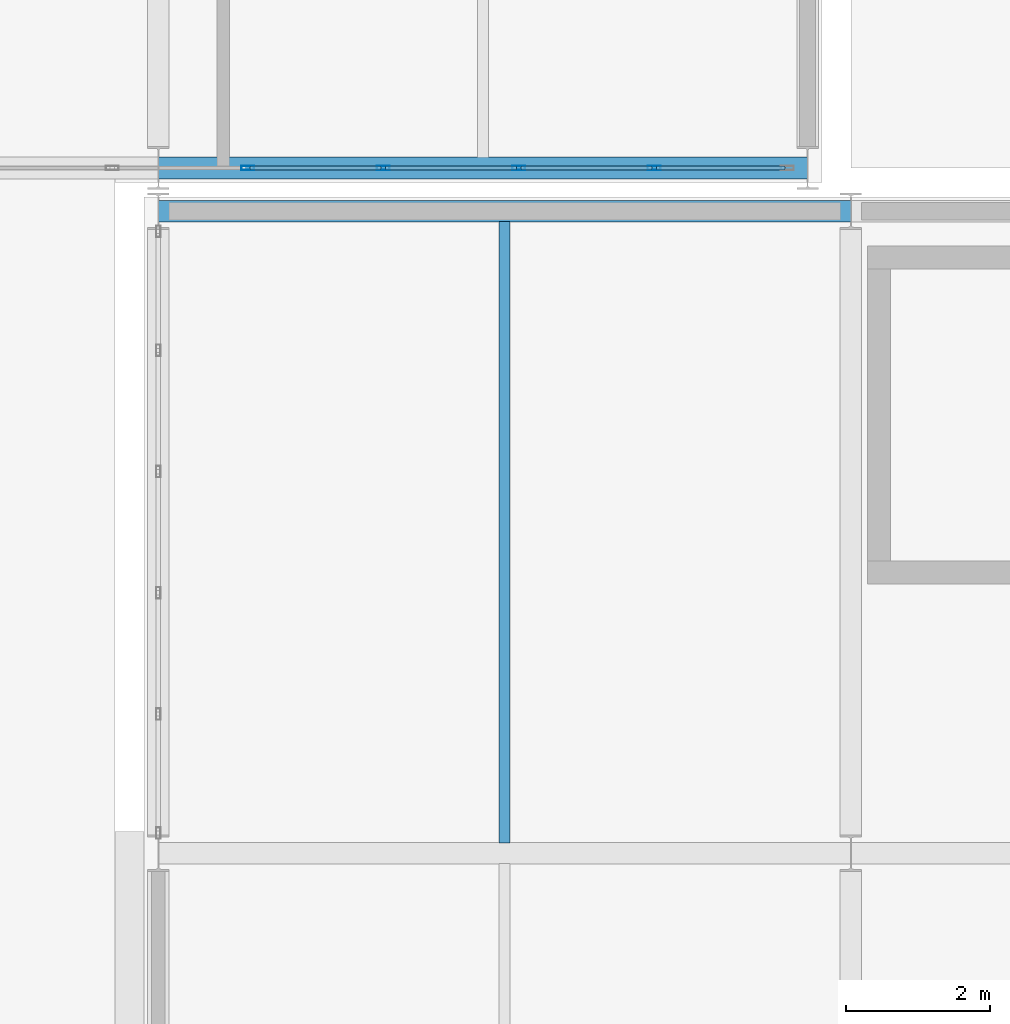
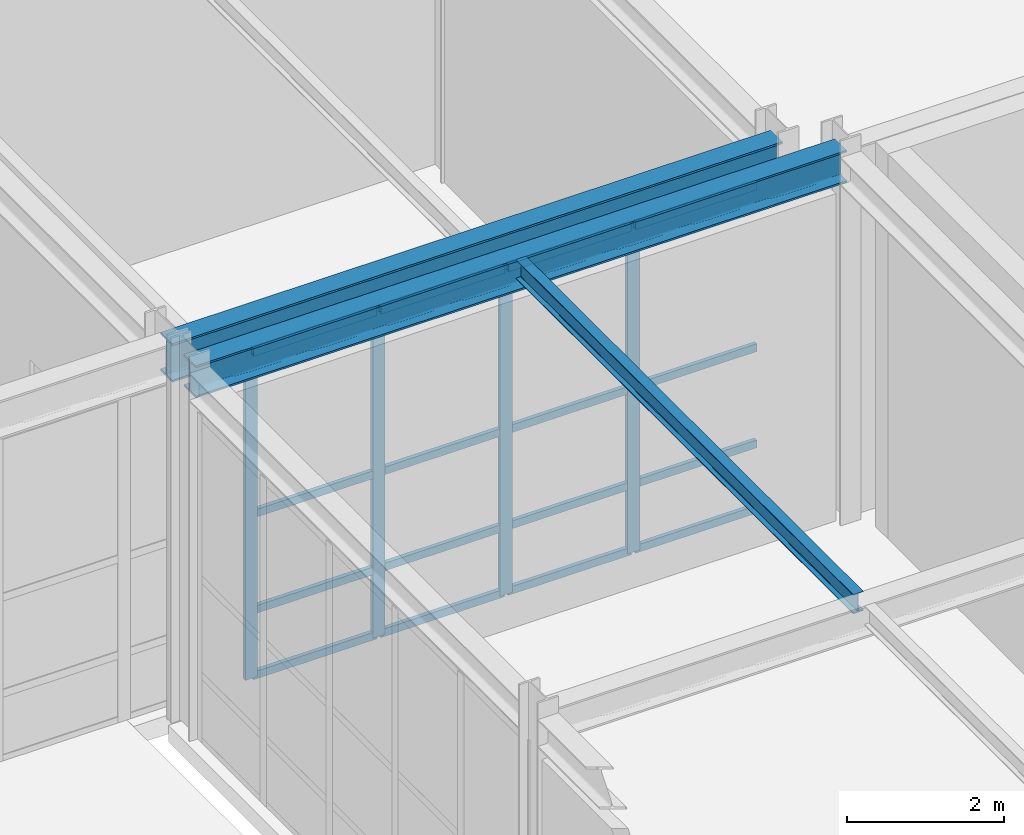
# One storey, part 76 of 146: 20 members, 3 beams, 1 element without a shape of its own.
"""IFC4 building model written with IfcOpenShell, lengths in metres."""

from ifc_helpers import new_model, si_unit, direction, frame, origin, origin_2d, place, context, subcontext, project, spatial, hollow_rectangle, i_section, extrude, material, material_profile, profile_set, type_object, element, aggregate, save


model = new_model("IFC4")

# Units and contexts
model_context = context("Model", 3, precision=1e-05, world=origin(), true_north=direction((0.0, 1.0)))
body_context = subcontext(model_context, "Body", "Model", "MODEL_VIEW")
ifc_project = project(units=[si_unit("LENGTHUNIT", "METRE"), si_unit("AREAUNIT", "SQUARE_METRE"), si_unit("VOLUMEUNIT", "CUBIC_METRE"), si_unit("PLANEANGLEUNIT", "RADIAN"), si_unit("MASSUNIT", "GRAM", prefix="KILO")], contexts=[model_context])

# Site, building, storey
site_placement = place(None, origin())
site = spatial("IfcSite", under=ifc_project, at=site_placement, CompositionType="ELEMENT")
building_placement = place(site_placement, origin())
building = spatial("IfcBuilding", under=site, at=building_placement, Name="Kaldris Quays Convention Centre", CompositionType="ELEMENT")
storey_placement = place(building_placement, origin())
storey = spatial("IfcBuildingStorey", under=building, at=storey_placement, Name="L00", CompositionType="ELEMENT", Elevation=0.0)

# Curtain wall, members
ifc_material_1 = material(Name="Anodized aluminium AW-6060 and triple glazing", Category="aluminium")
curtain_wall_type = type_object("IfcCurtainWallType", Name="UNITISED CURTAIN WALL CW05", PredefinedType="NOTDEFINED", material=ifc_material_1)
curtain_wall_placement = place(storey_placement, origin())
curtain_wall = element("IfcCurtainWall", 1, at=curtain_wall_placement, inside=storey, type_object=curtain_wall_type, Name="L00 Unitised Curtain Wall CW05 137", PredefinedType="NOTDEFINED")
ifc_material_2 = material(Name="Anodized aluminium AW-6060", Category="aluminium")
ifc_material_profile_1 = material_profile(ifc_material_2, hollow_rectangle(XDim=0.06005859375, YDim=0.179931640625, WallThickness=0.0048828125, at=origin_2d()), Name="RHS 180x60x5")
ifc_profile_set_1 = profile_set([ifc_material_profile_1], Name="Anodized aluminium AW-6060")
member_type_1 = type_object("IfcMemberType", Name="CURTAIN MULLION CWM2", PredefinedType="MULLION", material=ifc_profile_set_1)
member_1_placement = place(storey_placement, frame((156.23876953125, 38.0, 0.0), z_axis=(0.0, 0.0, 1.0), x_axis=(0.0, 1.0, 0.0)))
member_1 = element("IfcMember", 2, at=member_1_placement, type_object=member_type_1, Name="CW05 mullion 6", PredefinedType="MULLION", context=body_context, shape_type="SweptSolid", body=[
    extrude(hollow_rectangle(XDim=0.06005859375, YDim=0.179931640625, WallThickness=0.0048828125, at=origin_2d()), origin(), (0.0, 0.0, 1.0), 5.097900390625),
])
member_2_placement = place(storey_placement, frame((158.11669921875, 38.0, 0.0), z_axis=(0.0, 0.0, 1.0), x_axis=(0.0, 1.0, 0.0)))
member_2 = element("IfcMember", 3, at=member_2_placement, type_object=member_type_1, Name="CW05 mullion 7", PredefinedType="MULLION", context=body_context, shape_type="SweptSolid", body=[
    extrude(hollow_rectangle(XDim=0.06005859375, YDim=0.179931640625, WallThickness=0.0048828125, at=origin_2d()), origin(), (0.0, 0.0, 1.0), 5.097900390625),
])
member_3_placement = place(storey_placement, frame((159.994384765625, 38.0, 0.0), z_axis=(0.0, 0.0, 1.0), x_axis=(0.0, 1.0, 0.0)))
member_3 = element("IfcMember", 4, at=member_3_placement, type_object=member_type_1, Name="CW05 mullion 8", PredefinedType="MULLION", context=body_context, shape_type="SweptSolid", body=[
    extrude(hollow_rectangle(XDim=0.06005859375, YDim=0.179931640625, WallThickness=0.0048828125, at=origin_2d()), origin(), (0.0, 0.0, 1.0), 5.097900390625),
])
member_4_placement = place(storey_placement, frame((161.872314453125, 38.0, 0.0), z_axis=(0.0, 0.0, 1.0), x_axis=(0.0, 1.0, 0.0)))
member_4 = element("IfcMember", 5, at=member_4_placement, type_object=member_type_1, Name="CW05 mullion 9", PredefinedType="MULLION", context=body_context, shape_type="SweptSolid", body=[
    extrude(hollow_rectangle(XDim=0.06005859375, YDim=0.179931640625, WallThickness=0.0048828125, at=origin_2d()), origin(), (0.0, 0.0, 1.0), 5.097900390625),
])
ifc_material_profile_2 = material_profile(ifc_material_2, hollow_rectangle(XDim=0.06005859375, YDim=0.1201171875, WallThickness=0.00390625, at=origin_2d()), Name="RHS 120x60x4")
ifc_profile_set_2 = profile_set([ifc_material_profile_2], Name="Anodized aluminium AW-6060")
member_type_2 = type_object("IfcMemberType", Name="CURTAIN TRANSOM CWT1", PredefinedType="USERDEFINED", material=ifc_profile_set_2)
member_5_placement = place(storey_placement, frame((156.268798828125, 38.0, 0.030029296875), z_axis=(1.0, 0.0, 0.0), x_axis=(0.0, 1.0, 0.0)))
member_5 = element("IfcMember", 6, at=member_5_placement, type_object=member_type_2, Name="CW05 transom 6.1", ObjectType="TRANSOM", PredefinedType="USERDEFINED", context=body_context, shape_type="SweptSolid", body=[
    extrude(hollow_rectangle(XDim=0.06005859375, YDim=0.1201171875, WallThickness=0.00390625, at=origin_2d()), origin(), (0.0, 0.0, 1.0), 1.81787109375),
])
member_6_placement = place(storey_placement, frame((156.268798828125, 38.0, 1.050048828125), z_axis=(1.0, 0.0, 0.0), x_axis=(0.0, 1.0, 0.0)))
member_6 = element("IfcMember", 7, at=member_6_placement, type_object=member_type_2, Name="CW05 transom 6.2", ObjectType="TRANSOM", PredefinedType="USERDEFINED", context=body_context, shape_type="SweptSolid", body=[
    extrude(hollow_rectangle(XDim=0.06005859375, YDim=0.1201171875, WallThickness=0.00390625, at=origin_2d()), origin(), (0.0, 0.0, 1.0), 1.81787109375),
])
member_7_placement = place(storey_placement, frame((156.268798828125, 38.0, 2.549072265625), z_axis=(1.0, 0.0, 0.0), x_axis=(0.0, 1.0, 0.0)))
member_7 = element("IfcMember", 8, at=member_7_placement, type_object=member_type_2, Name="CW05 transom 6.3", ObjectType="TRANSOM", PredefinedType="USERDEFINED", context=body_context, shape_type="SweptSolid", body=[
    extrude(hollow_rectangle(XDim=0.06005859375, YDim=0.1201171875, WallThickness=0.00390625, at=origin_2d()), origin(), (0.0, 0.0, 1.0), 1.81787109375),
])
member_8_placement = place(storey_placement, frame((156.268798828125, 38.0, 5.068115234375), z_axis=(1.0, 0.0, 0.0), x_axis=(0.0, 1.0, 0.0)))
member_8 = element("IfcMember", 9, at=member_8_placement, type_object=member_type_2, Name="CW05 transom 6.4", ObjectType="TRANSOM", PredefinedType="USERDEFINED", context=body_context, shape_type="SweptSolid", body=[
    extrude(hollow_rectangle(XDim=0.06005859375, YDim=0.1201171875, WallThickness=0.00390625, at=origin_2d()), origin(), (0.0, 0.0, 1.0), 1.81787109375),
])
member_9_placement = place(storey_placement, frame((158.146728515625, 38.0, 0.030029296875), z_axis=(1.0, 0.0, 0.0), x_axis=(0.0, 1.0, 0.0)))
member_9 = element("IfcMember", 10, at=member_9_placement, type_object=member_type_2, Name="CW05 transom 7.1", ObjectType="TRANSOM", PredefinedType="USERDEFINED", context=body_context, shape_type="SweptSolid", body=[
    extrude(hollow_rectangle(XDim=0.06005859375, YDim=0.1201171875, WallThickness=0.00390625, at=origin_2d()), origin(), (0.0, 0.0, 1.0), 1.817626953125),
])
member_10_placement = place(storey_placement, frame((158.146728515625, 38.0, 1.050048828125), z_axis=(1.0, 0.0, 0.0), x_axis=(0.0, 1.0, 0.0)))
member_10 = element("IfcMember", 11, at=member_10_placement, type_object=member_type_2, Name="CW05 transom 7.2", ObjectType="TRANSOM", PredefinedType="USERDEFINED", context=body_context, shape_type="SweptSolid", body=[
    extrude(hollow_rectangle(XDim=0.06005859375, YDim=0.1201171875, WallThickness=0.00390625, at=origin_2d()), origin(), (0.0, 0.0, 1.0), 1.817626953125),
])
member_11_placement = place(storey_placement, frame((158.146728515625, 38.0, 2.549072265625), z_axis=(1.0, 0.0, 0.0), x_axis=(0.0, 1.0, 0.0)))
member_11 = element("IfcMember", 12, at=member_11_placement, type_object=member_type_2, Name="CW05 transom 7.3", ObjectType="TRANSOM", PredefinedType="USERDEFINED", context=body_context, shape_type="SweptSolid", body=[
    extrude(hollow_rectangle(XDim=0.06005859375, YDim=0.1201171875, WallThickness=0.00390625, at=origin_2d()), origin(), (0.0, 0.0, 1.0), 1.817626953125),
])
member_12_placement = place(storey_placement, frame((158.146728515625, 38.0, 5.068115234375), z_axis=(1.0, 0.0, 0.0), x_axis=(0.0, 1.0, 0.0)))
member_12 = element("IfcMember", 13, at=member_12_placement, type_object=member_type_2, Name="CW05 transom 7.4", ObjectType="TRANSOM", PredefinedType="USERDEFINED", context=body_context, shape_type="SweptSolid", body=[
    extrude(hollow_rectangle(XDim=0.06005859375, YDim=0.1201171875, WallThickness=0.00390625, at=origin_2d()), origin(), (0.0, 0.0, 1.0), 1.817626953125),
])
member_13_placement = place(storey_placement, frame((160.0244140625, 38.0, 0.030029296875), z_axis=(1.0, 0.0, 0.0), x_axis=(0.0, 1.0, 0.0)))
member_13 = element("IfcMember", 14, at=member_13_placement, type_object=member_type_2, Name="CW05 transom 8.1", ObjectType="TRANSOM", PredefinedType="USERDEFINED", context=body_context, shape_type="SweptSolid", body=[
    extrude(hollow_rectangle(XDim=0.06005859375, YDim=0.1201171875, WallThickness=0.00390625, at=origin_2d()), origin(), (0.0, 0.0, 1.0), 1.81787109375),
])
member_14_placement = place(storey_placement, frame((160.0244140625, 38.0, 1.050048828125), z_axis=(1.0, 0.0, 0.0), x_axis=(0.0, 1.0, 0.0)))
member_14 = element("IfcMember", 15, at=member_14_placement, type_object=member_type_2, Name="CW05 transom 8.2", ObjectType="TRANSOM", PredefinedType="USERDEFINED", context=body_context, shape_type="SweptSolid", body=[
    extrude(hollow_rectangle(XDim=0.06005859375, YDim=0.1201171875, WallThickness=0.00390625, at=origin_2d()), origin(), (0.0, 0.0, 1.0), 1.81787109375),
])
member_15_placement = place(storey_placement, frame((160.0244140625, 38.0, 2.549072265625), z_axis=(1.0, 0.0, 0.0), x_axis=(0.0, 1.0, 0.0)))
member_15 = element("IfcMember", 16, at=member_15_placement, type_object=member_type_2, Name="CW05 transom 8.3", ObjectType="TRANSOM", PredefinedType="USERDEFINED", context=body_context, shape_type="SweptSolid", body=[
    extrude(hollow_rectangle(XDim=0.06005859375, YDim=0.1201171875, WallThickness=0.00390625, at=origin_2d()), origin(), (0.0, 0.0, 1.0), 1.81787109375),
])
member_16_placement = place(storey_placement, frame((160.0244140625, 38.0, 5.068115234375), z_axis=(1.0, 0.0, 0.0), x_axis=(0.0, 1.0, 0.0)))
member_16 = element("IfcMember", 17, at=member_16_placement, type_object=member_type_2, Name="CW05 transom 8.4", ObjectType="TRANSOM", PredefinedType="USERDEFINED", context=body_context, shape_type="SweptSolid", body=[
    extrude(hollow_rectangle(XDim=0.06005859375, YDim=0.1201171875, WallThickness=0.00390625, at=origin_2d()), origin(), (0.0, 0.0, 1.0), 1.81787109375),
])
member_17_placement = place(storey_placement, frame((161.90234375, 38.0, 0.030029296875), z_axis=(1.0, 0.0, 0.0), x_axis=(0.0, 1.0, 0.0)))
member_17 = element("IfcMember", 18, at=member_17_placement, type_object=member_type_2, Name="CW05 transom 9.1", ObjectType="TRANSOM", PredefinedType="USERDEFINED", context=body_context, shape_type="SweptSolid", body=[
    extrude(hollow_rectangle(XDim=0.06005859375, YDim=0.1201171875, WallThickness=0.00390625, at=origin_2d()), origin(), (0.0, 0.0, 1.0), 1.78759765625),
])
member_18_placement = place(storey_placement, frame((161.90234375, 38.0, 1.050048828125), z_axis=(1.0, 0.0, 0.0), x_axis=(0.0, 1.0, 0.0)))
member_18 = element("IfcMember", 19, at=member_18_placement, type_object=member_type_2, Name="CW05 transom 9.2", ObjectType="TRANSOM", PredefinedType="USERDEFINED", context=body_context, shape_type="SweptSolid", body=[
    extrude(hollow_rectangle(XDim=0.06005859375, YDim=0.1201171875, WallThickness=0.00390625, at=origin_2d()), origin(), (0.0, 0.0, 1.0), 1.78759765625),
])
member_19_placement = place(storey_placement, frame((161.90234375, 38.0, 2.549072265625), z_axis=(1.0, 0.0, 0.0), x_axis=(0.0, 1.0, 0.0)))
member_19 = element("IfcMember", 20, at=member_19_placement, type_object=member_type_2, Name="CW05 transom 9.3", ObjectType="TRANSOM", PredefinedType="USERDEFINED", context=body_context, shape_type="SweptSolid", body=[
    extrude(hollow_rectangle(XDim=0.06005859375, YDim=0.1201171875, WallThickness=0.00390625, at=origin_2d()), origin(), (0.0, 0.0, 1.0), 1.78759765625),
])
member_20_placement = place(storey_placement, frame((161.90234375, 38.0, 5.068115234375), z_axis=(1.0, 0.0, 0.0), x_axis=(0.0, 1.0, 0.0)))
member_20 = element("IfcMember", 21, at=member_20_placement, type_object=member_type_2, Name="CW05 transom 9.4", ObjectType="TRANSOM", PredefinedType="USERDEFINED", context=body_context, shape_type="SweptSolid", body=[
    extrude(hollow_rectangle(XDim=0.06005859375, YDim=0.1201171875, WallThickness=0.00390625, at=origin_2d()), origin(), (0.0, 0.0, 1.0), 1.78759765625),
])
aggregate(curtain_wall, [member_1, member_2, member_3, member_4, member_5, member_6, member_7, member_8, member_9, member_10, member_11, member_12, member_13, member_14, member_15, member_16, member_17, member_18, member_19, member_20])

# Beams
ifc_material_3 = material(Name="Steel S355J2", Category="steel")
ifc_material_profile_3 = material_profile(ifc_material_3, i_section(OverallWidth=0.300048828125, OverallDepth=0.60009765625, WebThickness=0.015380859375, FlangeThickness=0.030029296875, FilletRadius=0.027099609375, at=origin_2d()), Name="HEB 600")
ifc_profile_set_3 = profile_set([ifc_material_profile_3], Name="Steel S355J2")
beam_type_1 = type_object("IfcBeamType", Name="STRUCTURAL BEAM BM05", PredefinedType="BEAM", material=ifc_profile_set_3)
beam_1_placement = place(storey_placement, frame((155.001708984375, 38.0, 5.423095703125), z_axis=(1.0, 0.0, 0.0), x_axis=(0.0, 1.0, 0.0)))
element("IfcBeam", 22, at=beam_1_placement, inside=storey, type_object=beam_type_1, Name="L00 Girder BM05 9", PredefinedType="BEAM", context=body_context, shape_type="SweptSolid", body=[
    extrude(i_section(OverallWidth=0.300048828125, OverallDepth=0.60009765625, WebThickness=0.015380859375, FlangeThickness=0.030029296875, FilletRadius=0.027099609375, at=origin_2d()), origin(), (0.0, 0.0, 1.0), 8.99658203125),
])
ifc_material_profile_4 = material_profile(ifc_material_3, i_section(OverallWidth=0.300048828125, OverallDepth=0.5, WebThickness=0.014404296875, FlangeThickness=0.028076171875, FilletRadius=0.027099609375, at=origin_2d()), Name="HEB 500")
ifc_profile_set_4 = profile_set([ifc_material_profile_4], Name="Steel S355J2")
beam_type_2 = type_object("IfcBeamType", Name="STRUCTURAL BEAM BM06", PredefinedType="BEAM", material=ifc_profile_set_4)
beam_2_placement = place(storey_placement, frame((155.001220703125, 37.39990234375, 5.492919921875), z_axis=(1.0, 0.0, 0.0), x_axis=(0.0, 1.0, 0.0)))
element("IfcBeam", 23, at=beam_2_placement, inside=storey, type_object=beam_type_2, Name="L00 Girder BM06 16", PredefinedType="BEAM", context=body_context, shape_type="SweptSolid", body=[
    extrude(i_section(OverallWidth=0.300048828125, OverallDepth=0.5, WebThickness=0.014404296875, FlangeThickness=0.028076171875, FilletRadius=0.027099609375, at=origin_2d()), origin(), (0.0, 0.0, 1.0), 9.597412109375),
])
ifc_material_profile_5 = material_profile(ifc_material_3, i_section(OverallWidth=0.14990234375, OverallDepth=0.300048828125, WebThickness=0.007080078125, FlangeThickness=0.0107421875, FilletRadius=0.014892578125, at=origin_2d()), Name="IPE 300")
ifc_profile_set_5 = profile_set([ifc_material_profile_5], Name="Steel S355J2")
beam_type_3 = type_object("IfcBeamType", Name="STRUCTURAL BEAM JT04", PredefinedType="JOIST", material=ifc_profile_set_5)
beam_3_placement = place(storey_placement, frame((159.800048828125, 28.64404296875, 5.593017578125), z_axis=(0.0, 1.0, 0.0), x_axis=(-1.0, 0.0, 0.0)))
element("IfcBeam", 24, at=beam_3_placement, inside=storey, type_object=beam_type_3, Name="L00 Secondary Joist JT04 10", PredefinedType="JOIST", context=body_context, shape_type="SweptSolid", body=[
    extrude(i_section(OverallWidth=0.14990234375, OverallDepth=0.300048828125, WebThickness=0.007080078125, FlangeThickness=0.0107421875, FilletRadius=0.014892578125, at=origin_2d()), origin(), (0.0, 0.0, 1.0), 8.612060546875),
])

save(model, "model.ifc")
